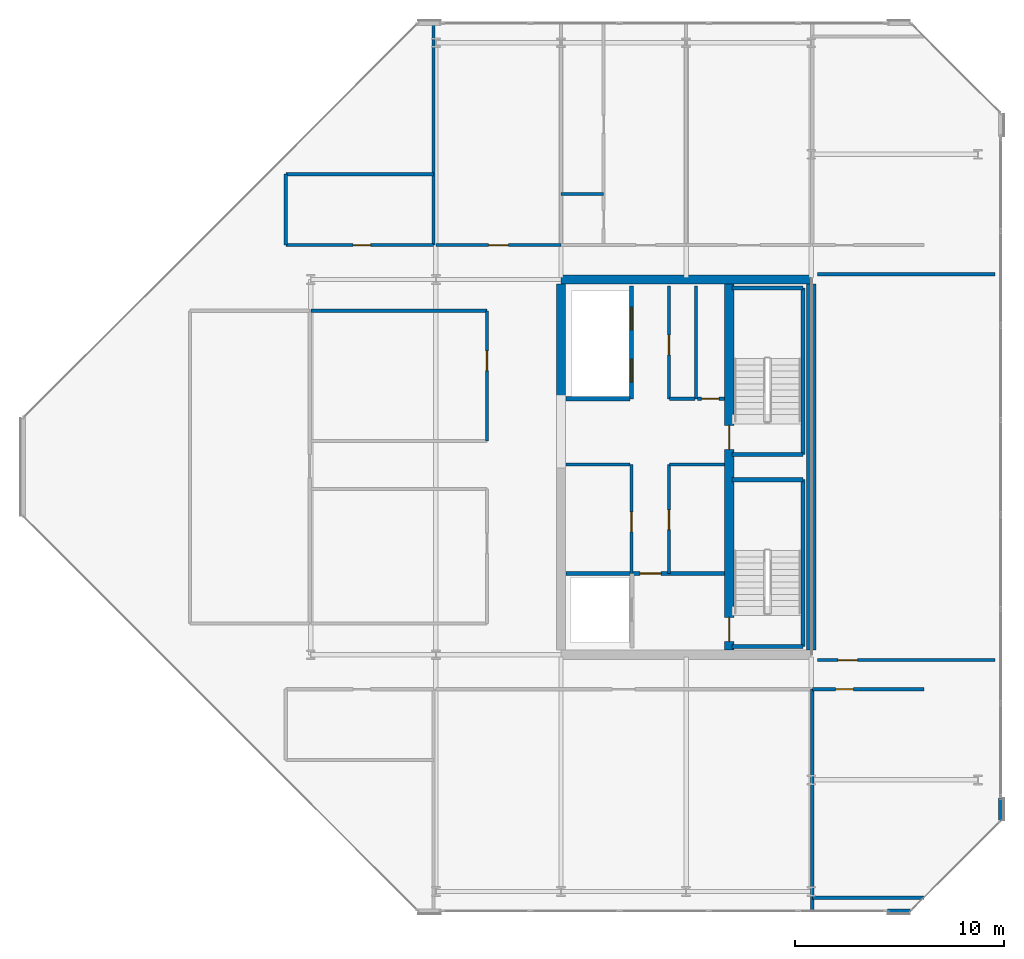
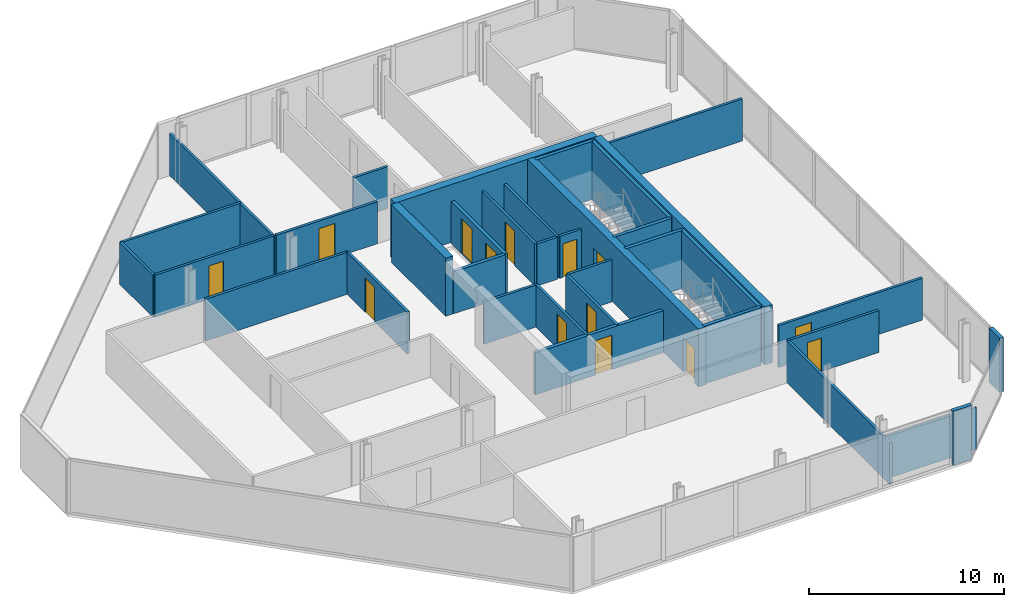
# One storey, part 14 of 17: 36 walls, 14 doors, 14 openings.
"""IFC4 building model written with IfcOpenShell, lengths in metres."""

from ifc_helpers import new_model, si_unit, direction, frame, frame_2d, origin, place, context, subcontext, project, spatial, rectangle, extrude, material, layer, layer_set, type_object, element, fill, save


model = new_model("IFC4")

# Units and contexts
model_context = context("Model", 3, precision=1e-05, world=origin(), true_north=direction((0.0, 1.0)))
body_context = subcontext(model_context, "Body", "Model", "MODEL_VIEW")
ifc_project = project(units=[si_unit("LENGTHUNIT", "METRE"), si_unit("AREAUNIT", "SQUARE_METRE"), si_unit("VOLUMEUNIT", "CUBIC_METRE"), si_unit("PLANEANGLEUNIT", "RADIAN"), si_unit("MASSUNIT", "GRAM", prefix="KILO")], contexts=[model_context])

# Site, building, storey
site_placement = place(None, origin())
site = spatial("IfcSite", under=ifc_project, at=site_placement, CompositionType="ELEMENT")
building_placement = place(site_placement, origin())
building = spatial("IfcBuilding", under=site, at=building_placement, Name="Tanjung Sevakor Pilgrim Tower", CompositionType="ELEMENT")
storey_placement = place(building_placement, frame((0.0, 0.0, 264.330078125)))
storey = spatial("IfcBuildingStorey", under=building, at=storey_placement, Name="L74", CompositionType="ELEMENT", Elevation=264.330078125)

# Walls
ifc_material_1 = material(Name="Concrete C60/75", Category="concrete")
ifc_layer_1 = layer(ifc_material_1, 0.449951171875)
ifc_layer_set_1 = layer_set([ifc_layer_1], Name="WALL-CW-450")
wall_type_1 = type_object("IfcWallType", Name="WALL-CW-450", PredefinedType="SHEAR", material=ifc_layer_set_1)
wall_1_placement = place(storey_placement, frame((90.0, 42.60009765625, 0.0), z_axis=(0.0, 0.0, 1.0), x_axis=(-1.0, 0.0, 0.0)))
element("IfcWall", 1, at=wall_1_placement, inside=storey, type_object=wall_type_1, Name="L74 E Core North Shear Wall", PredefinedType="SHEAR", context=body_context, shape_type="SweptSolid", body=[
    extrude(rectangle(XDim=12.0, YDim=0.449951171875, at=frame_2d((6.0, 0.0))), origin(), (0.0, 0.0, 1.0), 3.6298828125),
])
wall_2_placement = place(storey_placement, frame((90.0, 24.824951171875, 0.0), z_axis=(0.0, 0.0, 1.0), x_axis=(0.0, 1.0, 0.0)))
element("IfcWall", 2, at=wall_2_placement, inside=storey, type_object=wall_type_1, Name="L74 E Core Outer Shear Wall", PredefinedType="SHEAR", context=body_context, shape_type="SweptSolid", body=[
    extrude(rectangle(XDim=17.550048828125, YDim=0.449951171875, at=frame_2d((8.77490234375, 0.0))), origin(), (0.0, 0.0, 1.0), 3.6298828125),
])
wall_3_placement = place(storey_placement, frame((78.0, 36.800048828125, 0.0), z_axis=(0.0, 0.0, 1.0), x_axis=(0.0, 1.0, 0.0)))
element("IfcWall", 3, at=wall_3_placement, inside=storey, type_object=wall_type_1, Name="L74 E Core Inner Shear Wall North", PredefinedType="SHEAR", context=body_context, shape_type="SweptSolid", body=[
    extrude(rectangle(XDim=5.574951171875, YDim=0.449951171875, at=frame_2d((2.78759765625, 0.0))), origin(), (0.0, 0.0, 1.0), 3.6298828125),
])

# Wall, openings, doors
wall_4_placement = place(storey_placement, frame((86.074951171875, 24.824951171875, 0.0), z_axis=(0.0, 0.0, 1.0), x_axis=(0.0, 1.0, 0.0)))
wall_4 = element("IfcWall", 4, at=wall_4_placement, inside=storey, type_object=wall_type_1, Name="L74 E Core Stair Spine Wall", PredefinedType="SHEAR", context=body_context, shape_type="SweptSolid", body=[
    extrude(rectangle(XDim=17.550048828125, YDim=0.449951171875, at=frame_2d((8.77490234375, 0.0))), origin(), (0.0, 0.0, 1.0), 3.6298828125),
])
opening_1_placement = place(wall_4_placement, frame((0.425048828125, 0.0, 0.0)))
opening_1 = element("IfcOpeningElement", 5, at=opening_1_placement, cuts=wall_4, Name="Opening ID-ST1", PredefinedType="OPENING", context=body_context, shape_type="SweptSolid", body=[
    extrude(rectangle(XDim=1.14990234375, YDim=2.14990234375, at=frame_2d((0.574951171875, 1.074951171875))), frame((0.0, 0.23486328125, 0.0), z_axis=(0.0, -1.0, 0.0), x_axis=(1.0, 0.0, 0.0)), (0.0, 0.0, 1.0), 0.469970703125),
])
opening_2_placement = place(wall_4_placement, frame((9.625, 0.0, 0.0)))
opening_2 = element("IfcOpeningElement", 6, at=opening_2_placement, cuts=wall_4, Name="Opening ID-ST1", PredefinedType="OPENING", context=body_context, shape_type="SweptSolid", body=[
    extrude(rectangle(XDim=1.14990234375, YDim=2.14990234375, at=frame_2d((0.574951171875, 1.074951171875))), frame((0.0, 0.23486328125, 0.0), z_axis=(0.0, -1.0, 0.0), x_axis=(1.0, 0.0, 0.0)), (0.0, 0.0, 1.0), 0.469970703125),
])
ifc_material_2 = material(Name="Fire-Rated Steel S355J2", Category="steel")
door_type_1 = type_object("IfcDoorType", Name="DT-FIRE-1150", OperationType="NOTDEFINED", PredefinedType="DOOR", material=ifc_material_2)
door_1_placement = place(opening_1_placement, origin())
door_1 = element("IfcDoor", 7, at=door_1_placement, inside=storey, type_object=door_type_1, Name="L74 TS-E1 Stair Fire Door", OperationType="SINGLE_SWING_RIGHT", OverallHeight=2.14990234375, OverallWidth=1.14990234375, PredefinedType="DOOR", context=body_context, shape_type="SweptSolid", body=[
    extrude(rectangle(XDim=1.14990234375, YDim=2.14990234375, at=frame_2d((0.574951171875, 1.074951171875))), frame((0.0, 0.02490234375, 0.0), z_axis=(0.0, -1.0, 0.0), x_axis=(1.0, 0.0, 0.0)), (0.0, 0.0, 1.0), 0.050048828125),
])
fill(opening_1, door_1)
door_2_placement = place(opening_2_placement, origin())
door_2 = element("IfcDoor", 8, at=door_2_placement, inside=storey, type_object=door_type_1, Name="L74 TS-E2 Stair Fire Door", OperationType="SINGLE_SWING_LEFT", OverallHeight=2.14990234375, OverallWidth=1.14990234375, PredefinedType="DOOR", context=body_context, shape_type="SweptSolid", body=[
    extrude(rectangle(XDim=1.14990234375, YDim=2.14990234375, at=frame_2d((0.574951171875, 1.074951171875))), frame((0.0, 0.02490234375, 0.0), z_axis=(0.0, -1.0, 0.0), x_axis=(1.0, 0.0, 0.0)), (0.0, 0.0, 1.0), 0.050048828125),
])
fill(opening_2, door_2)

# Wall
ifc_material_3 = material(Name="Concrete C40/50", Category="concrete")
ifc_layer_2 = layer(ifc_material_3, 0.14990234375)
ifc_layer_set_2 = layer_set([ifc_layer_2], Name="WT-COMP-150")
wall_type_2 = type_object("IfcWallType", Name="WT-COMP-150", PredefinedType="SOLIDWALL", material=ifc_layer_set_2)
wall_5_placement = place(storey_placement, frame((83.199951171875, 33.719970703125, 0.0), z_axis=(0.0, 0.0, 1.0), x_axis=(1.0, 0.0, 0.0)))
element("IfcWall", 9, at=wall_5_placement, inside=storey, type_object=wall_type_2, Name="L74 Partition IW-L74-003", PredefinedType="SOLIDWALL", context=body_context, shape_type="SweptSolid", body=[
    extrude(rectangle(XDim=2.630126953125, YDim=0.14990234375, at=frame_2d((1.31494140625, 0.0))), origin(), (0.0, 0.0, 1.0), 2.6298828125),
])

# Wall, opening, door
wall_6_placement = place(storey_placement, frame((83.179931640625, 28.5, 0.0), z_axis=(0.0, 0.0, 1.0), x_axis=(0.0, 1.0, 0.0)))
wall_6 = element("IfcWall", 10, at=wall_6_placement, inside=storey, type_object=wall_type_2, Name="L74 Partition IW-L74-004", PredefinedType="SOLIDWALL", context=body_context, shape_type="SweptSolid", body=[
    extrude(rectangle(XDim=5.219970703125, YDim=0.14990234375, at=frame_2d((2.60986328125, 0.0))), origin(), (0.0, 0.0, 1.0), 2.6298828125),
])
opening_3_placement = place(wall_6_placement, frame((2.10009765625, 0.0, 0.0)))
opening_3 = element("IfcOpeningElement", 11, at=opening_3_placement, cuts=wall_6, Name="Opening ID-FD2", PredefinedType="OPENING", context=body_context, shape_type="SweptSolid", body=[
    extrude(rectangle(XDim=0.949951171875, YDim=2.14990234375, at=frame_2d((0.47509765625, 1.074951171875))), frame((0.0, 0.0849609375, 0.0), z_axis=(0.0, -1.0, 0.0), x_axis=(1.0, 0.0, 0.0)), (0.0, 0.0, 1.0), 0.169921875),
])
ifc_material_4 = material(Name="Fire-Rated Timber", Category="wood")
door_type_2 = type_object("IfcDoorType", Name="DT-FIRE-950", OperationType="NOTDEFINED", PredefinedType="DOOR", material=ifc_material_4)
door_3_placement = place(opening_3_placement, origin())
door_3 = element("IfcDoor", 12, at=door_3_placement, inside=storey, type_object=door_type_2, Name="L74 Housekeeping Pantry Door", OperationType="SINGLE_SWING_RIGHT", OverallHeight=2.14990234375, OverallWidth=0.949951171875, PredefinedType="DOOR", context=body_context, shape_type="SweptSolid", body=[
    extrude(rectangle(XDim=0.949951171875, YDim=2.14990234375, at=frame_2d((0.47509765625, 1.074951171875))), frame((0.0, 0.02490234375, 0.0), z_axis=(0.0, -1.0, 0.0), x_axis=(1.0, 0.0, 0.0)), (0.0, 0.0, 1.0), 0.050048828125),
])
fill(opening_3, door_3)

# Wall
wall_7_placement = place(storey_placement, frame((78.2451171875, 33.719970703125, 0.0), z_axis=(0.0, 0.0, 1.0), x_axis=(1.0, 0.0, 0.0)))
element("IfcWall", 13, at=wall_7_placement, inside=storey, type_object=wall_type_2, Name="L74 Partition IW-L74-005", PredefinedType="SOLIDWALL", context=body_context, shape_type="SweptSolid", body=[
    extrude(rectangle(XDim=3.074951171875, YDim=0.14990234375, at=frame_2d((1.53759765625, 0.0))), origin(), (0.0, 0.0, 1.0), 2.6298828125),
])

# Wall, opening, door
wall_8_placement = place(storey_placement, frame((81.3798828125, 28.5, 0.0), z_axis=(0.0, 0.0, 1.0), x_axis=(0.0, 1.0, 0.0)))
wall_8 = element("IfcWall", 14, at=wall_8_placement, inside=storey, type_object=wall_type_2, Name="L74 Partition IW-L74-006", PredefinedType="SOLIDWALL", context=body_context, shape_type="SweptSolid", body=[
    extrude(rectangle(XDim=5.219970703125, YDim=0.14990234375, at=frame_2d((2.60986328125, 0.0))), origin(), (0.0, 0.0, 1.0), 2.6298828125),
])
opening_4_placement = place(wall_8_placement, frame((2.0, 0.0, 0.0)))
opening_4 = element("IfcOpeningElement", 15, at=opening_4_placement, cuts=wall_8, Name="Opening ID-FD2", PredefinedType="OPENING", context=body_context, shape_type="SweptSolid", body=[
    extrude(rectangle(XDim=0.949951171875, YDim=2.14990234375, at=frame_2d((0.47509765625, 1.074951171875))), frame((0.0, 0.0849609375, 0.0), z_axis=(0.0, -1.0, 0.0), x_axis=(1.0, 0.0, 0.0)), (0.0, 0.0, 1.0), 0.169921875),
])
door_4_placement = place(opening_4_placement, origin())
door_4 = element("IfcDoor", 16, at=door_4_placement, inside=storey, type_object=door_type_2, Name="L74 Accessible WC Door", OperationType="SINGLE_SWING_LEFT", OverallHeight=2.14990234375, OverallWidth=0.949951171875, PredefinedType="DOOR", context=body_context, shape_type="SweptSolid", body=[
    extrude(rectangle(XDim=0.949951171875, YDim=2.14990234375, at=frame_2d((0.47509765625, 1.074951171875))), frame((0.0, 0.02490234375, 0.0), z_axis=(0.0, -1.0, 0.0), x_axis=(1.0, 0.0, 0.0)), (0.0, 0.0, 1.0), 0.050048828125),
])
fill(opening_4, door_4)

# Wall
wall_9_placement = place(storey_placement, frame((84.47998046875, 36.8798828125, 0.0), z_axis=(0.0, 0.0, 1.0), x_axis=(0.0, 1.0, 0.0)))
element("IfcWall", 17, at=wall_9_placement, inside=storey, type_object=wall_type_2, Name="L74 Partition IW-L74-007", PredefinedType="SOLIDWALL", context=body_context, shape_type="SweptSolid", body=[
    extrude(rectangle(XDim=5.420166015625, YDim=0.14990234375, at=frame_2d((2.7099609375, 0.0))), origin(), (0.0, 0.0, 1.0), 2.6298828125),
])

# Wall, opening, door
wall_10_placement = place(storey_placement, frame((84.550048828125, 36.8798828125, 0.0), z_axis=(0.0, 0.0, 1.0), x_axis=(1.0, 0.0, 0.0)))
wall_10 = element("IfcWall", 18, at=wall_10_placement, inside=storey, type_object=wall_type_2, Name="L74 Partition IW-L74-008", PredefinedType="SOLIDWALL", context=body_context, shape_type="SweptSolid", body=[
    extrude(rectangle(XDim=1.280029296875, YDim=0.14990234375, at=frame_2d((0.64013671875, 0.0))), origin(), (0.0, 0.0, 1.0), 2.6298828125),
])
opening_5_placement = place(wall_10_placement, frame((0.179931640625, 0.0, 0.0)))
opening_5 = element("IfcOpeningElement", 19, at=opening_5_placement, cuts=wall_10, Name="Opening ID-FD3", PredefinedType="OPENING", context=body_context, shape_type="SweptSolid", body=[
    extrude(rectangle(XDim=0.85009765625, YDim=2.10009765625, at=frame_2d((0.425048828125, 1.050048828125))), frame((0.0, 0.0849609375, 0.0), z_axis=(0.0, -1.0, 0.0), x_axis=(1.0, 0.0, 0.0)), (0.0, 0.0, 1.0), 0.169921875),
])
ifc_material_5 = material(Name="Fire-Rated Timber", Category="wood")
door_type_3 = type_object("IfcDoorType", Name="DT-FIRE-850", OperationType="NOTDEFINED", PredefinedType="DOOR", material=ifc_material_5)
door_5_placement = place(opening_5_placement, origin())
door_5 = element("IfcDoor", 20, at=door_5_placement, inside=storey, type_object=door_type_3, Name="L74 Service Store Door", OperationType="SINGLE_SWING_RIGHT", OverallHeight=2.10009765625, OverallWidth=0.85009765625, PredefinedType="DOOR", context=body_context, shape_type="SweptSolid", body=[
    extrude(rectangle(XDim=0.85009765625, YDim=2.10009765625, at=frame_2d((0.425048828125, 1.050048828125))), frame((0.0, 0.02490234375, 0.0), z_axis=(0.0, -1.0, 0.0), x_axis=(1.0, 0.0, 0.0)), (0.0, 0.0, 1.0), 0.050048828125),
])
fill(opening_5, door_5)

# Wall
wall_11_placement = place(storey_placement, frame((83.199951171875, 36.8798828125, 0.0), z_axis=(0.0, 0.0, 1.0), x_axis=(1.0, 0.0, 0.0)))
element("IfcWall", 21, at=wall_11_placement, inside=storey, type_object=wall_type_2, Name="L74 Partition IW-L74-009", PredefinedType="SOLIDWALL", context=body_context, shape_type="SweptSolid", body=[
    extrude(rectangle(XDim=1.219970703125, YDim=0.14990234375, at=frame_2d((0.60986328125, 0.0))), origin(), (0.0, 0.0, 1.0), 2.6298828125),
])

# Wall, opening, door
wall_12_placement = place(storey_placement, frame((83.179931640625, 36.8798828125, 0.0), z_axis=(0.0, 0.0, 1.0), x_axis=(0.0, 1.0, 0.0)))
wall_12 = element("IfcWall", 22, at=wall_12_placement, inside=storey, type_object=wall_type_2, Name="L74 Partition IW-L74-010", PredefinedType="SOLIDWALL", context=body_context, shape_type="SweptSolid", body=[
    extrude(rectangle(XDim=5.420166015625, YDim=0.14990234375, at=frame_2d((2.7099609375, 0.0))), origin(), (0.0, 0.0, 1.0), 2.6298828125),
])
opening_6_placement = place(wall_12_placement, frame((2.10009765625, 0.0, 0.0)))
opening_6 = element("IfcOpeningElement", 23, at=opening_6_placement, cuts=wall_12, Name="Opening ID-FD2", PredefinedType="OPENING", context=body_context, shape_type="SweptSolid", body=[
    extrude(rectangle(XDim=0.949951171875, YDim=2.14990234375, at=frame_2d((0.47509765625, 1.074951171875))), frame((0.0, 0.0849609375, 0.0), z_axis=(0.0, -1.0, 0.0), x_axis=(1.0, 0.0, 0.0)), (0.0, 0.0, 1.0), 0.169921875),
])
door_6_placement = place(opening_6_placement, origin())
door_6 = element("IfcDoor", 24, at=door_6_placement, inside=storey, type_object=door_type_2, Name="L74 Core Reading Room Door", OperationType="SINGLE_SWING_LEFT", OverallHeight=2.14990234375, OverallWidth=0.949951171875, PredefinedType="DOOR", context=body_context, shape_type="SweptSolid", body=[
    extrude(rectangle(XDim=0.949951171875, YDim=2.14990234375, at=frame_2d((0.47509765625, 1.074951171875))), frame((0.0, 0.02490234375, 0.0), z_axis=(0.0, -1.0, 0.0), x_axis=(1.0, 0.0, 0.0)), (0.0, 0.0, 1.0), 0.050048828125),
])
fill(opening_6, door_6)

wall_13_placement = place(storey_placement, frame((64.800048828125, 44.25, 0.0), z_axis=(0.0, 0.0, 1.0), x_axis=(1.0, 0.0, 0.0)))
wall_13 = element("IfcWall", 25, at=wall_13_placement, inside=storey, type_object=wall_type_2, Name="L74 Partition IW-L74-017", PredefinedType="SOLIDWALL", context=body_context, shape_type="SweptSolid", body=[
    extrude(rectangle(XDim=7.079833984375, YDim=0.14990234375, at=frame_2d((3.5400390625, 0.0))), origin(), (0.0, 0.0, 1.0), 2.6298828125),
])
opening_7_placement = place(wall_13_placement, frame((3.22509765625, 0.0, 0.0)))
opening_7 = element("IfcOpeningElement", 26, at=opening_7_placement, cuts=wall_13, Name="Opening ID-WC1", PredefinedType="OPENING", context=body_context, shape_type="SweptSolid", body=[
    extrude(rectangle(XDim=0.85009765625, YDim=2.10009765625, at=frame_2d((0.425048828125, 1.050048828125))), frame((0.0, 0.0849609375, 0.0), z_axis=(0.0, -1.0, 0.0), x_axis=(1.0, 0.0, 0.0)), (0.0, 0.0, 1.0), 0.169921875),
])
ifc_material_6 = material(Name="Moisture-Resistant Timber", Category="wood")
door_type_4 = type_object("IfcDoorType", Name="DT-INT-850", OperationType="NOTDEFINED", PredefinedType="DOOR", material=ifc_material_6)
door_7_placement = place(opening_7_placement, origin())
door_7 = element("IfcDoor", 27, at=door_7_placement, inside=storey, type_object=door_type_4, Name="L74 NW Crown Library Door", OperationType="SINGLE_SWING_LEFT", OverallHeight=2.10009765625, OverallWidth=0.85009765625, PredefinedType="DOOR", context=body_context, shape_type="SweptSolid", body=[
    extrude(rectangle(XDim=0.85009765625, YDim=2.10009765625, at=frame_2d((0.425048828125, 1.050048828125))), frame((0.0, 0.02490234375, 0.0), z_axis=(0.0, -1.0, 0.0), x_axis=(1.0, 0.0, 0.0)), (0.0, 0.0, 1.0), 0.050048828125),
])
fill(opening_7, door_7)

# Walls
wall_14_placement = place(storey_placement, frame((64.800048828125, 47.64990234375, 0.0), z_axis=(0.0, 0.0, 1.0), x_axis=(1.0, 0.0, 0.0)))
element("IfcWall", 28, at=wall_14_placement, inside=storey, type_object=wall_type_2, Name="L74 Partition IW-L74-018", PredefinedType="SOLIDWALL", context=body_context, shape_type="SweptSolid", body=[
    extrude(rectangle(XDim=7.079833984375, YDim=0.14990234375, at=frame_2d((3.5400390625, 0.0))), origin(), (0.0, 0.0, 1.0), 2.6298828125),
])
wall_15_placement = place(storey_placement, frame((64.800048828125, 44.25, 0.0), z_axis=(0.0, 0.0, 1.0), x_axis=(0.0, 1.0, 0.0)))
element("IfcWall", 29, at=wall_15_placement, inside=storey, type_object=wall_type_2, Name="L74 Partition IW-L74-019", PredefinedType="SOLIDWALL", context=body_context, shape_type="SweptSolid", body=[
    extrude(rectangle(XDim=3.39990234375, YDim=0.14990234375, at=frame_2d((1.699951171875, 0.0))), origin(), (0.0, 0.0, 1.0), 2.6298828125),
])
wall_16_placement = place(storey_placement, frame((71.8798828125, 44.25, 0.0), z_axis=(0.0, 0.0, 1.0), x_axis=(0.0, 1.0, 0.0)))
element("IfcWall", 30, at=wall_16_placement, inside=storey, type_object=wall_type_2, Name="L74 Partition IW-L74-020", PredefinedType="SOLIDWALL", context=body_context, shape_type="SweptSolid", body=[
    extrude(rectangle(XDim=10.610107421875, YDim=0.14990234375, at=frame_2d((5.30517578125, 0.0))), origin(), (0.0, 0.0, 1.0), 2.6298828125),
])

# Wall, opening, door
wall_17_placement = place(storey_placement, frame((90.300048828125, 24.35009765625, 0.0), z_axis=(0.0, 0.0, 1.0), x_axis=(1.0, 0.0, 0.0)))
wall_17 = element("IfcWall", 31, at=wall_17_placement, inside=storey, type_object=wall_type_2, Name="L74 Partition IW-L74-021", PredefinedType="SOLIDWALL", context=body_context, shape_type="SweptSolid", body=[
    extrude(rectangle(XDim=8.52001953125, YDim=0.14990234375, at=frame_2d((4.260009765625, 0.0))), origin(), (0.0, 0.0, 1.0), 2.6298828125),
])
opening_8_placement = place(wall_17_placement, frame((0.97509765625, 0.0, 0.0)))
opening_8 = element("IfcOpeningElement", 32, at=opening_8_placement, cuts=wall_17, Name="Opening ID-RM1", PredefinedType="OPENING", context=body_context, shape_type="SweptSolid", body=[
    extrude(rectangle(XDim=0.949951171875, YDim=2.14990234375, at=frame_2d((0.47509765625, 1.074951171875))), frame((0.0, 0.0849609375, 0.0), z_axis=(0.0, -1.0, 0.0), x_axis=(1.0, 0.0, 0.0)), (0.0, 0.0, 1.0), 0.169921875),
])
ifc_material_7 = material(Name="Hardwood Timber", Category="wood")
door_type_5 = type_object("IfcDoorType", Name="DT-INT-950", OperationType="NOTDEFINED", PredefinedType="DOOR", material=ifc_material_7)
door_8_placement = place(opening_8_placement, origin())
door_8 = element("IfcDoor", 33, at=door_8_placement, inside=storey, type_object=door_type_5, Name="L74 East Crown Sanctuary Door", OperationType="SINGLE_SWING_RIGHT", OverallHeight=2.14990234375, OverallWidth=0.949951171875, PredefinedType="DOOR", context=body_context, shape_type="SweptSolid", body=[
    extrude(rectangle(XDim=0.949951171875, YDim=2.14990234375, at=frame_2d((0.47509765625, 1.074951171875))), frame((0.0, 0.02490234375, 0.0), z_axis=(0.0, -1.0, 0.0), x_axis=(1.0, 0.0, 0.0)), (0.0, 0.0, 1.0), 0.050048828125),
])
fill(opening_8, door_8)

# Walls
wall_18_placement = place(storey_placement, frame((90.300048828125, 42.85009765625, 0.0), z_axis=(0.0, 0.0, 1.0), x_axis=(1.0, 0.0, 0.0)))
element("IfcWall", 34, at=wall_18_placement, inside=storey, type_object=wall_type_2, Name="L74 Partition IW-L74-022", PredefinedType="SOLIDWALL", context=body_context, shape_type="SweptSolid", body=[
    extrude(rectangle(XDim=8.52001953125, YDim=0.14990234375, at=frame_2d((4.260009765625, 0.0))), origin(), (0.0, 0.0, 1.0), 2.6298828125),
])
wall_19_placement = place(storey_placement, frame((90.050048828125, 12.949951171875, 0.0), z_axis=(0.0, 0.0, 1.0), x_axis=(1.0, 0.0, 0.0)))
element("IfcWall", 35, at=wall_19_placement, inside=storey, type_object=wall_type_2, Name="L74 Partition IW-L74-023", PredefinedType="SOLIDWALL", context=body_context, shape_type="SweptSolid", body=[
    extrude(rectangle(XDim=5.369873046875, YDim=0.14990234375, at=frame_2d((2.68505859375, 0.0))), origin(), (0.0, 0.0, 1.0), 2.6298828125),
])

# Wall, opening, door
wall_20_placement = place(storey_placement, frame((90.050048828125, 22.949951171875, 0.0), z_axis=(0.0, 0.0, 1.0), x_axis=(1.0, 0.0, 0.0)))
wall_20 = element("IfcWall", 36, at=wall_20_placement, inside=storey, type_object=wall_type_2, Name="L74 Partition IW-L74-024", PredefinedType="SOLIDWALL", context=body_context, shape_type="SweptSolid", body=[
    extrude(rectangle(XDim=5.369873046875, YDim=0.14990234375, at=frame_2d((2.68505859375, 0.0))), origin(), (0.0, 0.0, 1.0), 2.6298828125),
])
opening_9_placement = place(wall_20_placement, frame((1.125, 0.0, 0.0)))
opening_9 = element("IfcOpeningElement", 37, at=opening_9_placement, cuts=wall_20, Name="Opening ID-WC1", PredefinedType="OPENING", context=body_context, shape_type="SweptSolid", body=[
    extrude(rectangle(XDim=0.85009765625, YDim=2.10009765625, at=frame_2d((0.425048828125, 1.050048828125))), frame((0.0, 0.0849609375, 0.0), z_axis=(0.0, -1.0, 0.0), x_axis=(1.0, 0.0, 0.0)), (0.0, 0.0, 1.0), 0.169921875),
])
door_9_placement = place(opening_9_placement, origin())
door_9 = element("IfcDoor", 38, at=door_9_placement, inside=storey, type_object=door_type_4, Name="L74 SE Crown Study Door", OperationType="SINGLE_SWING_LEFT", OverallHeight=2.10009765625, OverallWidth=0.85009765625, PredefinedType="DOOR", context=body_context, shape_type="SweptSolid", body=[
    extrude(rectangle(XDim=0.85009765625, YDim=2.10009765625, at=frame_2d((0.425048828125, 1.050048828125))), frame((0.0, 0.02490234375, 0.0), z_axis=(0.0, -1.0, 0.0), x_axis=(1.0, 0.0, 0.0)), (0.0, 0.0, 1.0), 0.050048828125),
])
fill(opening_9, door_9)

# Wall
wall_21_placement = place(storey_placement, frame((90.050048828125, 12.340087890625, 0.0), z_axis=(0.0, 0.0, 1.0), x_axis=(0.0, 1.0, 0.0)))
element("IfcWall", 39, at=wall_21_placement, inside=storey, type_object=wall_type_2, Name="L74 Partition IW-L74-025", PredefinedType="SOLIDWALL", context=body_context, shape_type="SweptSolid", body=[
    extrude(rectangle(XDim=10.60986328125, YDim=0.14990234375, at=frame_2d((5.304931640625, 0.0))), origin(), (0.0, 0.0, 1.0), 2.6298828125),
])

# Wall, opening, door
wall_22_placement = place(storey_placement, frame((72.0, 44.25, 0.0), z_axis=(0.0, 0.0, 1.0), x_axis=(1.0, 0.0, 0.0)))
wall_22 = element("IfcWall", 40, at=wall_22_placement, inside=storey, type_object=wall_type_2, Name="L74 Partition IW-L74-031", PredefinedType="SOLIDWALL", context=body_context, shape_type="SweptSolid", body=[
    extrude(rectangle(XDim=6.0, YDim=0.14990234375, at=frame_2d((3.0, 0.0))), origin(), (0.0, 0.0, 1.0), 2.6298828125),
])
opening_10_placement = place(wall_22_placement, frame((2.52490234375, 0.0, 0.0)))
opening_10 = element("IfcOpeningElement", 41, at=opening_10_placement, cuts=wall_22, Name="Opening ID-FD2", PredefinedType="OPENING", context=body_context, shape_type="SweptSolid", body=[
    extrude(rectangle(XDim=0.949951171875, YDim=2.14990234375, at=frame_2d((0.47509765625, 1.074951171875))), frame((0.0, 0.0849609375, 0.0), z_axis=(0.0, -1.0, 0.0), x_axis=(1.0, 0.0, 0.0)), (0.0, 0.0, 1.0), 0.169921875),
])
door_10_placement = place(opening_10_placement, origin())
door_10 = element("IfcDoor", 42, at=door_10_placement, inside=storey, type_object=door_type_2, Name="Housekeeping Pantry Door", OperationType="SINGLE_SWING_RIGHT", OverallHeight=2.14990234375, OverallWidth=0.949951171875, PredefinedType="DOOR", context=body_context, shape_type="SweptSolid", body=[
    extrude(rectangle(XDim=0.949951171875, YDim=2.14990234375, at=frame_2d((0.47509765625, 1.074951171875))), frame((0.0, 0.02490234375, 0.0), z_axis=(0.0, -1.0, 0.0), x_axis=(1.0, 0.0, 0.0)), (0.0, 0.0, 1.0), 0.050048828125),
])
fill(opening_10, door_10)

# Wall
wall_23_placement = place(storey_placement, frame((66.0, 41.10009765625, 0.0), z_axis=(0.0, 0.0, 1.0), x_axis=(1.0, 0.0, 0.0)))
element("IfcWall", 43, at=wall_23_placement, inside=storey, type_object=wall_type_2, Name="L74 Partition IW-L74-045", PredefinedType="SOLIDWALL", context=body_context, shape_type="SweptSolid", body=[
    extrude(rectangle(XDim=8.449951171875, YDim=0.14990234375, at=frame_2d((4.22509765625, 0.0))), origin(), (0.0, 0.0, 1.0), 2.6298828125),
])

# Wall, opening, door
wall_24_placement = place(storey_placement, frame((74.449951171875, 34.85009765625, 0.0), z_axis=(0.0, 0.0, 1.0), x_axis=(0.0, 1.0, 0.0)))
wall_24 = element("IfcWall", 44, at=wall_24_placement, inside=storey, type_object=wall_type_2, Name="L74 Partition IW-L74-046", PredefinedType="SOLIDWALL", context=body_context, shape_type="SweptSolid", body=[
    extrude(rectangle(XDim=6.25, YDim=0.14990234375, at=frame_2d((3.125, 0.0))), origin(), (0.0, 0.0, 1.0), 2.6298828125),
])
opening_11_placement = place(wall_24_placement, frame((3.375, 0.0, 0.0)))
opening_11 = element("IfcOpeningElement", 45, at=opening_11_placement, cuts=wall_24, Name="Opening ID-RM1", PredefinedType="OPENING", context=body_context, shape_type="SweptSolid", body=[
    extrude(rectangle(XDim=0.949951171875, YDim=2.14990234375, at=frame_2d((0.47509765625, 1.074951171875))), frame((0.0, 0.0849609375, 0.0), z_axis=(0.0, -1.0, 0.0), x_axis=(1.0, 0.0, 0.0)), (0.0, 0.0, 1.0), 0.169921875),
])
door_11_placement = place(opening_11_placement, origin())
door_11 = element("IfcDoor", 46, at=door_11_placement, inside=storey, type_object=door_type_5, Name="L74 East Peak Reading Door", OperationType="SINGLE_SWING_LEFT", OverallHeight=2.14990234375, OverallWidth=0.949951171875, PredefinedType="DOOR", context=body_context, shape_type="SweptSolid", body=[
    extrude(rectangle(XDim=0.949951171875, YDim=2.14990234375, at=frame_2d((0.47509765625, 1.074951171875))), frame((0.0, 0.02490234375, 0.0), z_axis=(0.0, -1.0, 0.0), x_axis=(1.0, 0.0, 0.0)), (0.0, 0.0, 1.0), 0.050048828125),
])
fill(opening_11, door_11)

# Walls
ifc_material_8 = material(Name="Precast concrete C45/55", Category="concrete")
ifc_layer_3 = layer(ifc_material_8, 0.219970703125)
ifc_layer_set_3 = layer_set([ifc_layer_3], Name="WT-EW-STN4")
wall_type_3 = type_object("IfcWallType", Name="WT-EW-STN4", PredefinedType="SOLIDWALL", material=ifc_layer_set_3)
for number, where, z_axis, x_axis, name in (
    (47, (93.654296875, 12.31005859375, 0.0), (0.0, 0.0, 1.0), (1.0, 0.0, 0.0), "L74 EAST Crown Pier 0-1B"),
    (48, (99.090087890625, 16.6455078125, 0.0), (0.0, 0.0, 1.0), (0.0, 1.0, 0.0), "L74 EAST Crown Pier 2-1A"),
):
    element("IfcWall", number, at=place(storey_placement, frame(where, z_axis=z_axis, x_axis=x_axis)), inside=storey, type_object=wall_type_3, Name=name, PredefinedType="SOLIDWALL", context=body_context, shape_type="SweptSolid", body=[
        extrude(rectangle(XDim=1.10009765625, YDim=0.219970703125, at=frame_2d((0.550048828125, 0.0))), origin(), (0.0, 0.0, 1.0), 3.409912109375),
    ])
ifc_material_9 = material(Name="Concrete C40/50", Category="concrete")
ifc_layer_4 = layer(ifc_material_9, 0.199951171875)
ifc_layer_set_4 = layer_set([ifc_layer_4], Name="WT-FIRE-200")
wall_type_4 = type_object("IfcWallType", Name="WT-FIRE-200", PredefinedType="SOLIDWALL", material=ifc_layer_set_4)
wall_25_placement = place(storey_placement, frame((86.199951171875, 25.0, 0.0), z_axis=(0.0, 0.0, 1.0), x_axis=(1.0, 0.0, 0.0)))
element("IfcWall", 49, at=wall_25_placement, inside=storey, type_object=wall_type_4, Name="L74 TS-E1 Shaft Wall 1", PredefinedType="SOLIDWALL", context=body_context, shape_type="SweptSolid", body=[
    extrude(rectangle(XDim=3.400146484375, YDim=0.199951171875, at=frame_2d((1.7001953125, 0.0))), origin(), (0.0, 0.0, 1.0), 3.6298828125),
])
wall_26_placement = place(storey_placement, frame((89.60009765625, 25.0, 0.0), z_axis=(0.0, 0.0, 1.0), x_axis=(0.0, 1.0, 0.0)))
element("IfcWall", 50, at=wall_26_placement, inside=storey, type_object=wall_type_4, Name="L74 TS-E1 Shaft Wall 2", PredefinedType="SOLIDWALL", context=body_context, shape_type="SweptSolid", body=[
    extrude(rectangle(XDim=8.0, YDim=0.199951171875, at=frame_2d((4.0, 0.0))), origin(), (0.0, 0.0, 1.0), 3.6298828125),
])
for number, where, z_axis, x_axis, name in (
    (51, (89.60009765625, 33.0, 0.0), (0.0, 0.0, 1.0), (-1.0, 0.0, 0.0), "L74 TS-E1 Shaft Wall 3"),
    (52, (86.199951171875, 34.199951171875, 0.0), (0.0, 0.0, 1.0), (1.0, 0.0, 0.0), "L74 TS-E2 Shaft Wall 1"),
):
    element("IfcWall", number, at=place(storey_placement, frame(where, z_axis=z_axis, x_axis=x_axis)), inside=storey, type_object=wall_type_4, Name=name, PredefinedType="SOLIDWALL", context=body_context, shape_type="SweptSolid", body=[
        extrude(rectangle(XDim=3.400146484375, YDim=0.199951171875, at=frame_2d((1.7001953125, 0.0))), origin(), (0.0, 0.0, 1.0), 3.6298828125),
    ])
wall_27_placement = place(storey_placement, frame((89.60009765625, 34.199951171875, 0.0), z_axis=(0.0, 0.0, 1.0), x_axis=(0.0, 1.0, 0.0)))
element("IfcWall", 53, at=wall_27_placement, inside=storey, type_object=wall_type_4, Name="L74 TS-E2 Shaft Wall 2", PredefinedType="SOLIDWALL", context=body_context, shape_type="SweptSolid", body=[
    extrude(rectangle(XDim=8.0, YDim=0.199951171875, at=frame_2d((4.0, 0.0))), origin(), (0.0, 0.0, 1.0), 3.6298828125),
])
wall_28_placement = place(storey_placement, frame((89.60009765625, 42.199951171875, 0.0), z_axis=(0.0, 0.0, 1.0), x_axis=(-1.0, 0.0, 0.0)))
element("IfcWall", 54, at=wall_28_placement, inside=storey, type_object=wall_type_4, Name="L74 TS-E2 Shaft Wall 3", PredefinedType="SOLIDWALL", context=body_context, shape_type="SweptSolid", body=[
    extrude(rectangle(XDim=3.400146484375, YDim=0.199951171875, at=frame_2d((1.7001953125, 0.0))), origin(), (0.0, 0.0, 1.0), 3.6298828125),
])

# Wall, opening, door
ifc_material_10 = material(Name="Concrete C40/50", Category="concrete")
ifc_layer_5 = layer(ifc_material_10, 0.199951171875)
ifc_layer_set_5 = layer_set([ifc_layer_5], Name="WT-FPRT-200")
wall_type_5 = type_object("IfcWallType", Name="WT-FPRT-200", PredefinedType="SOLIDWALL", material=ifc_layer_set_5)
wall_29_placement = place(storey_placement, frame((78.2451171875, 28.5, 0.0), z_axis=(0.0, 0.0, 1.0), x_axis=(1.0, 0.0, 0.0)))
wall_29 = element("IfcWall", 55, at=wall_29_placement, inside=storey, type_object=wall_type_5, Name="L74 Partition IW-L74-002", PredefinedType="SOLIDWALL", context=body_context, shape_type="SweptSolid", body=[
    extrude(rectangle(XDim=7.5849609375, YDim=0.199951171875, at=frame_2d((3.79248046875, 0.0))), origin(), (0.0, 0.0, 1.0), 2.6298828125),
])
opening_12_placement = place(wall_29_placement, frame((3.554931640625, 0.0, 0.0)))
opening_12 = element("IfcOpeningElement", 56, at=opening_12_placement, cuts=wall_29, Name="Opening ID-FD1", PredefinedType="OPENING", context=body_context, shape_type="SweptSolid", body=[
    extrude(rectangle(XDim=1.0, YDim=2.14990234375, at=frame_2d((0.5, 1.074951171875))), frame((0.0, 0.10986328125, 0.0), z_axis=(0.0, -1.0, 0.0), x_axis=(1.0, 0.0, 0.0)), (0.0, 0.0, 1.0), 0.219970703125),
])
ifc_material_11 = material(Name="Fire-Rated Steel S355J2", Category="steel")
door_type_6 = type_object("IfcDoorType", Name="DT-FIRE-1000", OperationType="NOTDEFINED", PredefinedType="DOOR", material=ifc_material_11)
door_12_placement = place(opening_12_placement, origin())
door_12 = element("IfcDoor", 57, at=door_12_placement, inside=storey, type_object=door_type_6, Name="Fire Lobby Door E", OperationType="SINGLE_SWING_LEFT", OverallHeight=2.14990234375, OverallWidth=1.0, PredefinedType="DOOR", context=body_context, shape_type="SweptSolid", body=[
    extrude(rectangle(XDim=1.0, YDim=2.14990234375, at=frame_2d((0.5, 1.074951171875))), frame((0.0, 0.02490234375, 0.0), z_axis=(0.0, -1.0, 0.0), x_axis=(1.0, 0.0, 0.0)), (0.0, 0.0, 1.0), 0.050048828125),
])
fill(opening_12, door_12)

# Wall
wall_30_placement = place(storey_placement, frame((78.2451171875, 36.8798828125, 0.0), z_axis=(0.0, 0.0, 1.0), x_axis=(1.0, 0.0, 0.0)))
element("IfcWall", 58, at=wall_30_placement, inside=storey, type_object=wall_type_5, Name="L74 Partition IW-L74-011", PredefinedType="SOLIDWALL", context=body_context, shape_type="SweptSolid", body=[
    extrude(rectangle(XDim=3.074951171875, YDim=0.199951171875, at=frame_2d((1.53759765625, 0.0))), origin(), (0.0, 0.0, 1.0), 2.6298828125),
])

# Wall, openings, doors
wall_31_placement = place(storey_placement, frame((81.3798828125, 36.8798828125, 0.0), z_axis=(0.0, 0.0, 1.0), x_axis=(0.0, 1.0, 0.0)))
wall_31 = element("IfcWall", 59, at=wall_31_placement, inside=storey, type_object=wall_type_5, Name="L74 Partition IW-L74-012", PredefinedType="SOLIDWALL", context=body_context, shape_type="SweptSolid", body=[
    extrude(rectangle(XDim=5.420166015625, YDim=0.199951171875, at=frame_2d((2.7099609375, 0.0))), origin(), (0.0, 0.0, 1.0), 2.6298828125),
])
opening_13_placement = place(wall_31_placement, frame((0.800048828125, 0.0, 0.0)))
opening_13 = element("IfcOpeningElement", 60, at=opening_13_placement, cuts=wall_31, Name="Opening LD-1100", PredefinedType="OPENING", context=body_context, shape_type="SweptSolid", body=[
    extrude(rectangle(XDim=1.10009765625, YDim=2.199951171875, at=frame_2d((0.550048828125, 1.10009765625))), frame((0.0, 0.10986328125, 0.0), z_axis=(0.0, -1.0, 0.0), x_axis=(1.0, 0.0, 0.0)), (0.0, 0.0, 1.0), 0.219970703125),
])
opening_14_placement = place(wall_31_placement, frame((3.300048828125, 0.0, 0.0)))
opening_14 = element("IfcOpeningElement", 61, at=opening_14_placement, cuts=wall_31, Name="Opening LD-1100", PredefinedType="OPENING", context=body_context, shape_type="SweptSolid", body=[
    extrude(rectangle(XDim=1.10009765625, YDim=2.199951171875, at=frame_2d((0.550048828125, 1.10009765625))), frame((0.0, 0.10986328125, 0.0), z_axis=(0.0, -1.0, 0.0), x_axis=(1.0, 0.0, 0.0)), (0.0, 0.0, 1.0), 0.219970703125),
])
ifc_material_12 = material(Name="Brushed Stainless Steel S355J2", Category="steel")
door_type_7 = type_object("IfcDoorType", Name="DT-LIFT-1100", OperationType="SLIDING_TO_LEFT", PredefinedType="DOOR", material=ifc_material_12)
door_13_placement = place(opening_13_placement, origin())
door_13 = element("IfcDoor", 62, at=door_13_placement, inside=storey, type_object=door_type_7, Name="LD-PLH1-E", OperationType="SLIDING_TO_LEFT", OverallHeight=2.199951171875, OverallWidth=1.10009765625, PredefinedType="DOOR", context=body_context, shape_type="SweptSolid", body=[
    extrude(rectangle(XDim=1.10009765625, YDim=2.199951171875, at=frame_2d((0.550048828125, 1.10009765625))), frame((0.0, 0.02490234375, 0.0), z_axis=(0.0, -1.0, 0.0), x_axis=(1.0, 0.0, 0.0)), (0.0, 0.0, 1.0), 0.050048828125),
])
fill(opening_13, door_13)
door_14_placement = place(opening_14_placement, origin())
door_14 = element("IfcDoor", 63, at=door_14_placement, inside=storey, type_object=door_type_7, Name="LD-PLH2-E", OperationType="SLIDING_TO_RIGHT", OverallHeight=2.199951171875, OverallWidth=1.10009765625, PredefinedType="DOOR", context=body_context, shape_type="SweptSolid", body=[
    extrude(rectangle(XDim=1.10009765625, YDim=2.199951171875, at=frame_2d((0.550048828125, 1.10009765625))), frame((0.0, 0.02490234375, 0.0), z_axis=(0.0, -1.0, 0.0), x_axis=(1.0, 0.0, 0.0)), (0.0, 0.0, 1.0), 0.050048828125),
])
fill(opening_14, door_14)

# Wall
ifc_material_13 = material(Name="Gypsum Board Partition", Category="gypsum board")
ifc_layer_6 = layer(ifc_material_13, 0.14990234375)
ifc_layer_set_6 = layer_set([ifc_layer_6], Name="WT-PART-150")
wall_type_6 = type_object("IfcWallType", Name="WT-PART-150", PredefinedType="PARTITIONING", material=ifc_layer_set_6)
wall_32_placement = place(storey_placement, frame((78.0, 46.699951171875, 0.0), z_axis=(0.0, 0.0, 1.0), x_axis=(1.0, 0.0, 0.0)))
element("IfcWall", 64, at=wall_32_placement, inside=storey, type_object=wall_type_6, Name="L74 Partition IW-L74-033", PredefinedType="PARTITIONING", context=body_context, shape_type="SweptSolid", body=[
    extrude(rectangle(XDim=2.0400390625, YDim=0.14990234375, at=frame_2d((1.02001953125, 0.0))), origin(), (0.0, 0.0, 1.0), 2.6298828125),
])

save(model, "model.ifc")
